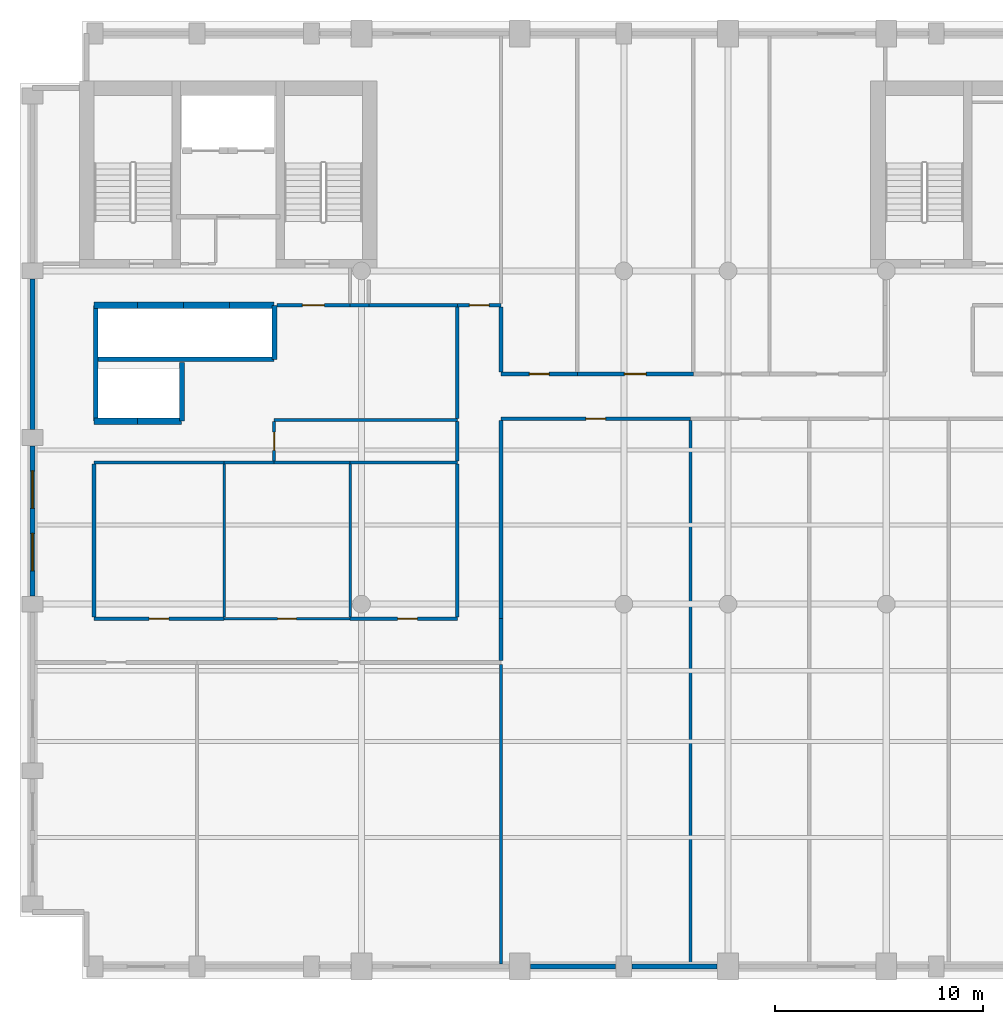
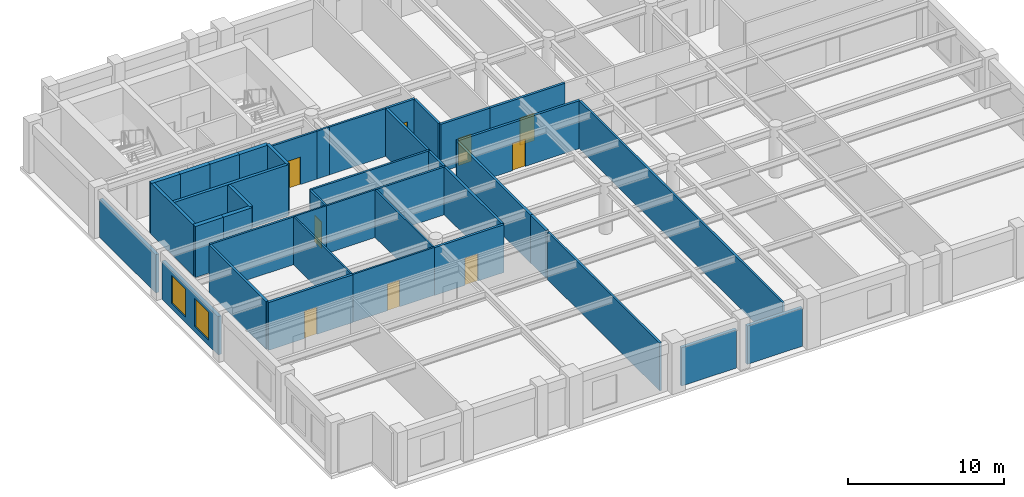
# One storey, part 3 of 8: 41 walls, 9 doors, 2 windows, 11 openings.
"""IFC4 building model written with IfcOpenShell, lengths in metres."""

from ifc_helpers import new_model, si_unit, direction, frame, frame_2d, origin, place, context, subcontext, project, spatial, rectangle, extrude, material, layer, layer_set, type_object, element, fill, save


model = new_model("IFC4")

# Units and contexts
model_context = context("Model", 3, precision=1e-05, world=origin(), true_north=direction((0.0, 1.0)))
body_context = subcontext(model_context, "Body", "Model", "MODEL_VIEW")
ifc_project = project(units=[si_unit("LENGTHUNIT", "METRE"), si_unit("AREAUNIT", "SQUARE_METRE"), si_unit("VOLUMEUNIT", "CUBIC_METRE"), si_unit("PLANEANGLEUNIT", "RADIAN"), si_unit("MASSUNIT", "GRAM", prefix="KILO")], contexts=[model_context])

# Site, building, storey
site_placement = place(None, origin())
site = spatial("IfcSite", under=ifc_project, at=site_placement, CompositionType="ELEMENT")
building_placement = place(site_placement, origin())
building = spatial("IfcBuilding", under=site, at=building_placement, Name="Sulina Concourse Tower", CompositionType="ELEMENT")
storey_placement = place(building_placement, frame((0.0, 0.0, 230.60009765625)))
storey = spatial("IfcBuildingStorey", under=building, at=storey_placement, Name="L56", CompositionType="ELEMENT", Elevation=230.60009765625)

# Walls
ifc_material_1 = material(Name="Concrete C50/60", Category="concrete")
ifc_layer_1 = layer(ifc_material_1, 0.219970703125)
ifc_layer_set_1 = layer_set([ifc_layer_1], Name="Concrete C50/60")
wall_type_1 = type_object("IfcWallType", Name="Core Lift Hoistway Divider Wall 220mm", PredefinedType="SOLIDWALL", material=ifc_layer_set_1)
wall_1_placement = place(storey_placement, frame((3.550048828125, 29.75, 0.0), z_axis=(0.0, 0.0, 1.0), x_axis=(1.0, 0.0, 0.0)))
element("IfcWall", 1, at=wall_1_placement, inside=storey, type_object=wall_type_1, Name="L56 shaft divider wall HW-LP3-S", PredefinedType="SOLIDWALL", context=body_context, shape_type="SweptSolid", body=[
    extrude(rectangle(XDim=8.64990234375, YDim=0.219970703125, at=frame_2d((4.324951171875, 0.0))), origin(), (0.0, 0.0, 1.0), 4.0),
])
wall_2_placement = place(storey_placement, frame((3.6298828125, 26.800048828125, 0.0), z_axis=(0.0, 0.0, 1.0), x_axis=(0.0, 1.0, 0.0)))
element("IfcWall", 2, at=wall_2_placement, inside=storey, type_object=wall_type_1, Name="L56 shaft divider wall HW-LP3-W", PredefinedType="SOLIDWALL", context=body_context, shape_type="SweptSolid", body=[
    extrude(rectangle(XDim=5.550048828125, YDim=0.219970703125, at=frame_2d((2.77490234375, 0.0))), origin(), (0.0, 0.0, 1.0), 4.0),
])
wall_3_placement = place(storey_placement, frame((7.780029296875, 26.800048828125, 0.0), z_axis=(0.0, 0.0, 1.0), x_axis=(0.0, 1.0, 0.0)))
element("IfcWall", 3, at=wall_3_placement, inside=storey, type_object=wall_type_1, Name="L56 shaft divider wall HW-EXP-E", PredefinedType="SOLIDWALL", context=body_context, shape_type="SweptSolid", body=[
    extrude(rectangle(XDim=2.800048828125, YDim=0.219970703125, at=frame_2d((1.39990234375, 0.0))), origin(), (0.0, 0.0, 1.0), 4.0),
])
wall_4_placement = place(storey_placement, frame((12.219970703125, 29.75, 0.0), z_axis=(0.0, 0.0, 1.0), x_axis=(0.0, 1.0, 0.0)))
element("IfcWall", 4, at=wall_4_placement, inside=storey, type_object=wall_type_1, Name="L56 shaft divider wall HW-LP3-E", PredefinedType="SOLIDWALL", context=body_context, shape_type="SweptSolid", body=[
    extrude(rectangle(XDim=2.60009765625, YDim=0.219970703125, at=frame_2d((1.300048828125, 0.0))), origin(), (0.0, 0.0, 1.0), 4.0),
])
ifc_material_2 = material(Name="Concrete C50/60", Category="concrete")
ifc_layer_2 = layer(ifc_material_2, 0.300048828125)
ifc_layer_set_2 = layer_set([ifc_layer_2], Name="Concrete C50/60")
wall_type_2 = type_object("IfcWallType", Name="Core Lift Hoistway Wall 300mm", PredefinedType="SOLIDWALL", material=ifc_layer_set_2)
wall_5_placement = place(storey_placement, frame((3.550048828125, 32.35009765625, 0.0), z_axis=(0.0, 0.0, 1.0), x_axis=(1.0, 0.0, 0.0)))
element("IfcWall", 5, at=wall_5_placement, inside=storey, type_object=wall_type_2, Name="L56 hoistway enclosure wall LP-09", PredefinedType="SOLIDWALL", context=body_context, shape_type="SweptSolid", body=[
    extrude(rectangle(XDim=2.099853515625, YDim=0.300048828125, at=frame_2d((1.0498046875, 0.0))), origin(), (0.0, 0.0, 1.0), 4.0),
])
wall_6_placement = place(storey_placement, frame((5.64990234375, 32.35009765625, 0.0), z_axis=(0.0, 0.0, 1.0), x_axis=(1.0, 0.0, 0.0)))
element("IfcWall", 6, at=wall_6_placement, inside=storey, type_object=wall_type_2, Name="L56 hoistway enclosure wall LP-10", PredefinedType="SOLIDWALL", context=body_context, shape_type="SweptSolid", body=[
    extrude(rectangle(XDim=2.2001953125, YDim=0.300048828125, at=frame_2d((1.10009765625, 0.0))), origin(), (0.0, 0.0, 1.0), 4.0),
])
wall_7_placement = place(storey_placement, frame((7.85009765625, 32.35009765625, 0.0), z_axis=(0.0, 0.0, 1.0), x_axis=(1.0, 0.0, 0.0)))
element("IfcWall", 7, at=wall_7_placement, inside=storey, type_object=wall_type_2, Name="L56 hoistway enclosure wall LP-11", PredefinedType="SOLIDWALL", context=body_context, shape_type="SweptSolid", body=[
    extrude(rectangle(XDim=2.199951171875, YDim=0.300048828125, at=frame_2d((1.10009765625, 0.0))), origin(), (0.0, 0.0, 1.0), 4.0),
])
wall_8_placement = place(storey_placement, frame((10.050048828125, 32.35009765625, 0.0), z_axis=(0.0, 0.0, 1.0), x_axis=(1.0, 0.0, 0.0)))
element("IfcWall", 8, at=wall_8_placement, inside=storey, type_object=wall_type_2, Name="L56 hoistway enclosure wall LP-12", PredefinedType="SOLIDWALL", context=body_context, shape_type="SweptSolid", body=[
    extrude(rectangle(XDim=2.14990234375, YDim=0.300048828125, at=frame_2d((1.074951171875, 0.0))), origin(), (0.0, 0.0, 1.0), 4.0),
])
wall_9_placement = place(storey_placement, frame((5.64990234375, 26.780029296875, 0.0), z_axis=(0.0, 0.0, 1.0), x_axis=(-1.0, 0.0, 0.0)))
element("IfcWall", 9, at=wall_9_placement, inside=storey, type_object=wall_type_2, Name="L56 hoistway enclosure wall EXP-1", PredefinedType="SOLIDWALL", context=body_context, shape_type="SweptSolid", body=[
    extrude(rectangle(XDim=2.099853515625, YDim=0.300048828125, at=frame_2d((1.0498046875, 0.0))), origin(), (0.0, 0.0, 1.0), 4.0),
])
wall_10_placement = place(storey_placement, frame((7.75, 26.780029296875, 0.0), z_axis=(0.0, 0.0, 1.0), x_axis=(-1.0, 0.0, 0.0)))
element("IfcWall", 10, at=wall_10_placement, inside=storey, type_object=wall_type_2, Name="L56 hoistway enclosure wall EXP-2", PredefinedType="SOLIDWALL", context=body_context, shape_type="SweptSolid", body=[
    extrude(rectangle(XDim=2.10009765625, YDim=0.300048828125, at=frame_2d((1.050048828125, 0.0))), origin(), (0.0, 0.0, 1.0), 4.0),
])
ifc_material_3 = material(Name="Precast concrete C50/60", Category="concrete")
ifc_layer_3 = layer(ifc_material_3, 0.239990234375)
ifc_layer_set_3 = layer_set([ifc_layer_3], Name="Precast concrete C50/60")
wall_type_3 = type_object("IfcWallType", Name="Crown Precast Masonry-Frame Facade Wall 240mm", PredefinedType="SOLIDWALL", material=ifc_layer_set_3)
for number, where, z_axis, x_axis, name in (
    (11, (28.60498046875, 0.60009765625, 0.0), (0.0, 0.0, 1.0), (-1.0, 0.0, 0.0), "L56 exterior precast wall S5"),
    (12, (33.47998046875, 0.60009765625, 0.0), (0.0, 0.0, 1.0), (-1.0, 0.0, 0.0), "L56 exterior precast wall S6"),
):
    element("IfcWall", number, at=place(storey_placement, frame(where, z_axis=z_axis, x_axis=x_axis)), inside=storey, type_object=wall_type_3, Name=name, PredefinedType="SOLIDWALL", context=body_context, shape_type="SweptSolid", body=[
        extrude(rectangle(XDim=4.0849609375, YDim=0.239990234375, at=frame_2d((2.04248046875, 0.0))), origin(), (0.0, 0.0, 1.0), 3.0),
    ])

# Wall, openings, windows
wall_11_placement = place(storey_placement, frame((0.60009765625, 18.39501953125, 0.0), z_axis=(0.0, 0.0, 1.0), x_axis=(0.0, 1.0, 0.0)))
wall_11 = element("IfcWall", 13, at=wall_11_placement, inside=storey, type_object=wall_type_3, Name="L56 exterior precast wall W3", PredefinedType="SOLIDWALL", context=body_context, shape_type="SweptSolid", body=[
    extrude(rectangle(XDim=7.2099609375, YDim=0.239990234375, at=frame_2d((3.60498046875, 0.0))), origin(), (0.0, 0.0, 1.0), 3.0),
])
opening_1_placement = place(wall_11_placement, frame((1.203369140625, 0.0, 0.419921875)))
opening_1 = element("IfcOpeningElement", 14, at=opening_1_placement, cuts=wall_11, Name="Opening WN-25", PredefinedType="OPENING", context=body_context, shape_type="SweptSolid", body=[
    extrude(rectangle(XDim=1.800048828125, YDim=2.199951171875, at=frame_2d((0.89990234375, 1.10009765625))), frame((0.0, 0.1298828125, 0.0), z_axis=(0.0, -1.0, 0.0), x_axis=(1.0, 0.0, 0.0)), (0.0, 0.0, 1.0), 0.260009765625),
])
opening_2_placement = place(wall_11_placement, frame((4.206787109375, 0.0, 0.419921875)))
opening_2 = element("IfcOpeningElement", 15, at=opening_2_placement, cuts=wall_11, Name="Opening WN-25", PredefinedType="OPENING", context=body_context, shape_type="SweptSolid", body=[
    extrude(rectangle(XDim=1.800048828125, YDim=2.199951171875, at=frame_2d((0.89990234375, 1.10009765625))), frame((0.0, 0.1298828125, 0.0), z_axis=(0.0, -1.0, 0.0), x_axis=(1.0, 0.0, 0.0)), (0.0, 0.0, 1.0), 0.260009765625),
])
ifc_material_4 = material(Name="Low-E solar double glazing in bronze aluminium", Category="aluminium")
window_type = type_object("IfcWindowType", Name="Punched Masonry-Frame Window 1800x2200", PartitioningType="SINGLE_PANEL", PredefinedType="WINDOW", material=ifc_material_4)
window_1_placement = place(opening_1_placement, origin())
window_1 = element("IfcWindow", 16, at=window_1_placement, inside=storey, type_object=window_type, Name="L56 punched window W3-1", OverallHeight=2.199951171875, OverallWidth=1.800048828125, PartitioningType="SINGLE_PANEL", PredefinedType="WINDOW", context=body_context, shape_type="SweptSolid", body=[
    extrude(rectangle(XDim=1.800048828125, YDim=2.199951171875, at=frame_2d((0.89990234375, 1.10009765625))), frame((0.0, 0.030029296875, 0.0), z_axis=(0.0, -1.0, 0.0), x_axis=(1.0, 0.0, 0.0)), (0.0, 0.0, 1.0), 0.06005859375),
])
fill(opening_1, window_1)
window_2_placement = place(opening_2_placement, origin())
window_2 = element("IfcWindow", 17, at=window_2_placement, inside=storey, type_object=window_type, Name="L56 punched window W3-2", OverallHeight=2.199951171875, OverallWidth=1.800048828125, PartitioningType="SINGLE_PANEL", PredefinedType="WINDOW", context=body_context, shape_type="SweptSolid", body=[
    extrude(rectangle(XDim=1.800048828125, YDim=2.199951171875, at=frame_2d((0.89990234375, 1.10009765625))), frame((0.0, 0.030029296875, 0.0), z_axis=(0.0, -1.0, 0.0), x_axis=(1.0, 0.0, 0.0)), (0.0, 0.0, 1.0), 0.06005859375),
])
fill(opening_2, window_2)

# Walls
wall_12_placement = place(storey_placement, frame((0.60009765625, 26.39501953125, 0.0), z_axis=(0.0, 0.0, 1.0), x_axis=(0.0, 1.0, 0.0)))
element("IfcWall", 18, at=wall_12_placement, inside=storey, type_object=wall_type_3, Name="L56 exterior precast wall W4", PredefinedType="SOLIDWALL", context=body_context, shape_type="SweptSolid", body=[
    extrude(rectangle(XDim=7.2099609375, YDim=0.239990234375, at=frame_2d((3.60498046875, 0.0))), origin(), (0.0, 0.0, 1.0), 3.0),
])
ifc_material_5 = material(Name="Gypsum board on steel stud", Category="steel")
ifc_layer_4 = layer(ifc_material_5, 0.14990234375)
ifc_layer_set_4 = layer_set([ifc_layer_4], Name="Gypsum board on steel stud")
wall_type_4 = type_object("IfcWallType", Name="Inter-Tenancy Acoustic Partition 150mm", PredefinedType="PARTITIONING", material=ifc_layer_set_4)
wall_13_placement = place(storey_placement, frame((3.550048828125, 24.800048828125, 0.0), z_axis=(0.0, 0.0, 1.0), x_axis=(1.0, 0.0, 0.0)))
element("IfcWall", 19, at=wall_13_placement, inside=storey, type_object=wall_type_4, Name="L56 interior partition 006", PredefinedType="PARTITIONING", context=body_context, shape_type="SweptSolid", body=[
    extrude(rectangle(XDim=6.25, YDim=0.14990234375, at=frame_2d((3.125, 0.0))), origin(), (0.0, 0.0, 1.0), 3.75),
])
wall_14_placement = place(storey_placement, frame((15.85009765625, 24.800048828125, 0.0), z_axis=(0.0, 0.0, 1.0), x_axis=(1.0, 0.0, 0.0)))
element("IfcWall", 20, at=wall_14_placement, inside=storey, type_object=wall_type_4, Name="L56 interior partition 009", PredefinedType="PARTITIONING", context=body_context, shape_type="SweptSolid", body=[
    extrude(rectangle(XDim=5.14990234375, YDim=0.14990234375, at=frame_2d((2.574951171875, 0.0))), origin(), (0.0, 0.0, 1.0), 3.75),
])
wall_15_placement = place(storey_placement, frame((12.199951171875, 26.85009765625, 0.0), z_axis=(0.0, 0.0, 1.0), x_axis=(1.0, 0.0, 0.0)))
element("IfcWall", 21, at=wall_15_placement, inside=storey, type_object=wall_type_4, Name="L56 interior partition 010", PredefinedType="PARTITIONING", context=body_context, shape_type="SweptSolid", body=[
    extrude(rectangle(XDim=8.800048828125, YDim=0.14990234375, at=frame_2d((4.39990234375, 0.0))), origin(), (0.0, 0.0, 1.0), 3.75),
])

# Wall, opening, door
wall_16_placement = place(storey_placement, frame((12.330078125, 32.35009765625, 0.0), z_axis=(0.0, 0.0, 1.0), x_axis=(1.0, 0.0, 0.0)))
wall_16 = element("IfcWall", 22, at=wall_16_placement, inside=storey, type_object=wall_type_4, Name="L56 interior partition 020", PredefinedType="PARTITIONING", context=body_context, shape_type="SweptSolid", body=[
    extrude(rectangle(XDim=3.52001953125, YDim=0.14990234375, at=frame_2d((1.760009765625, 0.0))), origin(), (0.0, 0.0, 1.0), 3.75),
])
opening_3_placement = place(wall_16_placement, frame((1.235107421875, 0.0, 0.0)))
opening_3 = element("IfcOpeningElement", 23, at=opening_3_placement, cuts=wall_16, Name="Opening DR-37", PredefinedType="OPENING", context=body_context, shape_type="SweptSolid", body=[
    extrude(rectangle(XDim=1.050048828125, YDim=2.14990234375, at=frame_2d((0.52490234375, 1.074951171875))), frame((0.0, 0.0849609375, 0.0), z_axis=(0.0, -1.0, 0.0), x_axis=(1.0, 0.0, 0.0)), (0.0, 0.0, 1.0), 0.169921875),
])
ifc_material_6 = material(Name="Oak-veneered fire door leaf")
ifc_layer_5 = layer(ifc_material_6, 0.050048828125)
ifc_layer_set_5 = layer_set([ifc_layer_5], Name="Oak-veneered fire door leaf")
door_type_1 = type_object("IfcDoorType", Name="Tenant Suite Entrance Fire Door 1050x2150", OperationType="NOTDEFINED", PredefinedType="DOOR", material=ifc_layer_set_5)
door_1_placement = place(opening_3_placement, origin())
door_1 = element("IfcDoor", 24, at=door_1_placement, inside=storey, type_object=door_type_1, Name="L56 interior door L56-MR-MRG2", OperationType="SINGLE_SWING_LEFT", OverallHeight=2.14990234375, OverallWidth=1.050048828125, PredefinedType="DOOR", context=body_context, shape_type="SweptSolid", body=[
    extrude(rectangle(XDim=1.050048828125, YDim=2.14990234375, at=frame_2d((0.52490234375, 1.074951171875))), frame((0.0, 0.02490234375, 0.0), z_axis=(0.0, -1.0, 0.0), x_axis=(1.0, 0.0, 0.0)), (0.0, 0.0, 1.0), 0.050048828125),
])
fill(opening_3, door_1)

# Walls
wall_17_placement = place(storey_placement, frame((15.85009765625, 32.35009765625, 0.0), z_axis=(0.0, 0.0, 1.0), x_axis=(1.0, 0.0, 0.0)))
element("IfcWall", 25, at=wall_17_placement, inside=storey, type_object=wall_type_4, Name="L56 interior partition 021", PredefinedType="PARTITIONING", context=body_context, shape_type="SweptSolid", body=[
    extrude(rectangle(XDim=0.89990234375, YDim=0.14990234375, at=frame_2d((0.449951171875, 0.0))), origin(), (0.0, 0.0, 1.0), 3.75),
])
wall_18_placement = place(storey_placement, frame((16.75, 32.35009765625, 0.0), z_axis=(0.0, 0.0, 1.0), x_axis=(1.0, 0.0, 0.0)))
element("IfcWall", 26, at=wall_18_placement, inside=storey, type_object=wall_type_4, Name="L56 interior partition 022", PredefinedType="PARTITIONING", context=body_context, shape_type="SweptSolid", body=[
    extrude(rectangle(XDim=4.25, YDim=0.14990234375, at=frame_2d((2.125, 0.0))), origin(), (0.0, 0.0, 1.0), 3.75),
])

# Wall, opening, door
wall_19_placement = place(storey_placement, frame((12.199951171875, 24.862548828125, 0.0), z_axis=(0.0, 0.0, 1.0), x_axis=(0.0, 1.0, 0.0)))
wall_19 = element("IfcWall", 27, at=wall_19_placement, inside=storey, type_object=wall_type_4, Name="L56 interior partition 034", PredefinedType="PARTITIONING", context=body_context, shape_type="SweptSolid", body=[
    extrude(rectangle(XDim=1.912353515625, YDim=0.14990234375, at=frame_2d((0.9560546875, 0.0))), origin(), (0.0, 0.0, 1.0), 3.75),
])
opening_4_placement = place(wall_19_placement, frame((0.51611328125, 0.0, 0.0)))
opening_4 = element("IfcOpeningElement", 28, at=opening_4_placement, cuts=wall_19, Name="Opening DR-38", PredefinedType="OPENING", context=body_context, shape_type="SweptSolid", body=[
    extrude(rectangle(XDim=0.8798828125, YDim=2.10009765625, at=frame_2d((0.43994140625, 1.050048828125))), frame((0.0, 0.0849609375, 0.0), z_axis=(0.0, -1.0, 0.0), x_axis=(1.0, 0.0, 0.0)), (0.0, 0.0, 1.0), 0.169921875),
])
ifc_material_7 = material(Name="Galvanised steel acoustic fire leaf", Category="steel")
ifc_layer_6 = layer(ifc_material_7, 0.050048828125)
ifc_layer_set_6 = layer_set([ifc_layer_6], Name="Galvanised steel acoustic fire leaf")
door_type_2 = type_object("IfcDoorType", Name="Service Riser Fire Door 880x2100", OperationType="NOTDEFINED", PredefinedType="DOOR", material=ifc_layer_set_6)
door_2_placement = place(opening_4_placement, origin())
door_2 = element("IfcDoor", 29, at=door_2_placement, inside=storey, type_object=door_type_2, Name="L56 interior door L56-MR-MRG1", OperationType="SINGLE_SWING_RIGHT", OverallHeight=2.10009765625, OverallWidth=0.8798828125, PredefinedType="DOOR", context=body_context, shape_type="SweptSolid", body=[
    extrude(rectangle(XDim=0.8798828125, YDim=2.10009765625, at=frame_2d((0.43994140625, 1.050048828125))), frame((0.0, 0.02490234375, 0.0), z_axis=(0.0, -1.0, 0.0), x_axis=(1.0, 0.0, 0.0)), (0.0, 0.0, 1.0), 0.050048828125),
])
fill(opening_4, door_2)

# Walls
wall_20_placement = place(storey_placement, frame((23.10009765625, 0.719970703125, 0.0), z_axis=(0.0, 0.0, 1.0), x_axis=(0.0, 1.0, 0.0)))
element("IfcWall", 30, at=wall_20_placement, inside=storey, type_object=wall_type_4, Name="L56 interior partition 041", PredefinedType="PARTITIONING", context=body_context, shape_type="SweptSolid", body=[
    extrude(rectangle(XDim=14.39013671875, YDim=0.14990234375, at=frame_2d((7.195068359375, 0.0))), origin(), (0.0, 0.0, 1.0), 3.75),
])
wall_21_placement = place(storey_placement, frame((32.199951171875, 0.719970703125, 0.0), z_axis=(0.0, 0.0, 1.0), x_axis=(0.0, 1.0, 0.0)))
element("IfcWall", 31, at=wall_21_placement, inside=storey, type_object=wall_type_4, Name="L56 interior partition 047", PredefinedType="PARTITIONING", context=body_context, shape_type="SweptSolid", body=[
    extrude(rectangle(XDim=26.090087890625, YDim=0.14990234375, at=frame_2d((13.044921875, 0.0))), origin(), (0.0, 0.0, 1.0), 3.75),
])

# Wall, opening, door
ifc_material_8 = material(Name="Gypsum board on steel stud", Category="steel")
ifc_layer_7 = layer(ifc_material_8, 0.179931640625)
ifc_layer_set_7 = layer_set([ifc_layer_7], Name="Gypsum board on steel stud")
wall_type_5 = type_object("IfcWallType", Name="Protected Corridor & Riser Partition 180mm", PredefinedType="PARTITIONING", material=ifc_layer_set_7)
wall_22_placement = place(storey_placement, frame((3.550048828125, 17.300048828125, 0.0), z_axis=(0.0, 0.0, 1.0), x_axis=(1.0, 0.0, 0.0)))
wall_22 = element("IfcWall", 32, at=wall_22_placement, inside=storey, type_object=wall_type_5, Name="L56 interior partition 003", PredefinedType="PARTITIONING", context=body_context, shape_type="SweptSolid", body=[
    extrude(rectangle(XDim=6.25, YDim=0.179931640625, at=frame_2d((3.125, 0.0))), origin(), (0.0, 0.0, 1.0), 3.75),
])
opening_5_placement = place(wall_22_placement, frame((2.64990234375, 0.0, 0.0)))
opening_5 = element("IfcOpeningElement", 33, at=opening_5_placement, cuts=wall_22, Name="Opening DR-19", PredefinedType="OPENING", context=body_context, shape_type="SweptSolid", body=[
    extrude(rectangle(XDim=0.949951171875, YDim=2.14990234375, at=frame_2d((0.47509765625, 1.074951171875))), frame((0.0, 0.099853515625, 0.0), z_axis=(0.0, -1.0, 0.0), x_axis=(1.0, 0.0, 0.0)), (0.0, 0.0, 1.0), 0.199951171875),
])
ifc_material_9 = material(Name="Oak-veneered acoustic timber leaf", Category="wood")
ifc_layer_8 = layer(ifc_material_9, 0.050048828125)
ifc_layer_set_8 = layer_set([ifc_layer_8], Name="Oak-veneered acoustic timber leaf")
door_type_3 = type_object("IfcDoorType", Name="Cellular Office & Meeting Door 950x2150", OperationType="NOTDEFINED", PredefinedType="DOOR", material=ifc_layer_set_8)
door_3_placement = place(opening_5_placement, origin())
door_3 = element("IfcDoor", 34, at=door_3_placement, inside=storey, type_object=door_type_3, Name="L56 interior door L56-LR-MRG1", OperationType="SINGLE_SWING_LEFT", OverallHeight=2.14990234375, OverallWidth=0.949951171875, PredefinedType="DOOR", context=body_context, shape_type="SweptSolid", body=[
    extrude(rectangle(XDim=0.949951171875, YDim=2.14990234375, at=frame_2d((0.47509765625, 1.074951171875))), frame((0.0, 0.02490234375, 0.0), z_axis=(0.0, -1.0, 0.0), x_axis=(1.0, 0.0, 0.0)), (0.0, 0.0, 1.0), 0.050048828125),
])
fill(opening_5, door_3)

wall_23_placement = place(storey_placement, frame((15.85009765625, 17.300048828125, 0.0), z_axis=(0.0, 0.0, 1.0), x_axis=(1.0, 0.0, 0.0)))
wall_23 = element("IfcWall", 35, at=wall_23_placement, inside=storey, type_object=wall_type_5, Name="L56 interior partition 005", PredefinedType="PARTITIONING", context=body_context, shape_type="SweptSolid", body=[
    extrude(rectangle(XDim=5.14990234375, YDim=0.179931640625, at=frame_2d((2.574951171875, 0.0))), origin(), (0.0, 0.0, 1.0), 3.75),
])
opening_6_placement = place(wall_23_placement, frame((2.280029296875, 0.0, 0.0)))
opening_6 = element("IfcOpeningElement", 36, at=opening_6_placement, cuts=wall_23, Name="Opening DR-19", PredefinedType="OPENING", context=body_context, shape_type="SweptSolid", body=[
    extrude(rectangle(XDim=0.949951171875, YDim=2.14990234375, at=frame_2d((0.47509765625, 1.074951171875))), frame((0.0, 0.099853515625, 0.0), z_axis=(0.0, -1.0, 0.0), x_axis=(1.0, 0.0, 0.0)), (0.0, 0.0, 1.0), 0.199951171875),
])
door_4_placement = place(opening_6_placement, origin())
door_4 = element("IfcDoor", 37, at=door_4_placement, inside=storey, type_object=door_type_3, Name="L56 interior door L56-NZ-PKW", OperationType="SINGLE_SWING_LEFT", OverallHeight=2.14990234375, OverallWidth=0.949951171875, PredefinedType="DOOR", context=body_context, shape_type="SweptSolid", body=[
    extrude(rectangle(XDim=0.949951171875, YDim=2.14990234375, at=frame_2d((0.47509765625, 1.074951171875))), frame((0.0, 0.02490234375, 0.0), z_axis=(0.0, -1.0, 0.0), x_axis=(1.0, 0.0, 0.0)), (0.0, 0.0, 1.0), 0.050048828125),
])
fill(opening_6, door_4)

wall_24_placement = place(storey_placement, frame((23.10009765625, 26.89990234375, 0.0), z_axis=(0.0, 0.0, 1.0), x_axis=(1.0, 0.0, 0.0)))
wall_24 = element("IfcWall", 38, at=wall_24_placement, inside=storey, type_object=wall_type_5, Name="L56 interior partition 011", PredefinedType="PARTITIONING", context=body_context, shape_type="SweptSolid", body=[
    extrude(rectangle(XDim=9.099853515625, YDim=0.179931640625, at=frame_2d((4.5498046875, 0.0))), origin(), (0.0, 0.0, 1.0), 3.75),
])
opening_7_placement = place(wall_24_placement, frame((4.074951171875, 0.0, 0.0)))
opening_7 = element("IfcOpeningElement", 39, at=opening_7_placement, cuts=wall_24, Name="Opening DR-19", PredefinedType="OPENING", context=body_context, shape_type="SweptSolid", body=[
    extrude(rectangle(XDim=0.949951171875, YDim=2.14990234375, at=frame_2d((0.47509765625, 1.074951171875))), frame((0.0, 0.099853515625, 0.0), z_axis=(0.0, -1.0, 0.0), x_axis=(1.0, 0.0, 0.0)), (0.0, 0.0, 1.0), 0.199951171875),
])
door_5_placement = place(opening_7_placement, origin())
door_5 = element("IfcDoor", 40, at=door_5_placement, inside=storey, type_object=door_type_3, Name="L56 interior door L56-S03", OperationType="SINGLE_SWING_RIGHT", OverallHeight=2.14990234375, OverallWidth=0.949951171875, PredefinedType="DOOR", context=body_context, shape_type="SweptSolid", body=[
    extrude(rectangle(XDim=0.949951171875, YDim=2.14990234375, at=frame_2d((0.47509765625, 1.074951171875))), frame((0.0, 0.02490234375, 0.0), z_axis=(0.0, -1.0, 0.0), x_axis=(1.0, 0.0, 0.0)), (0.0, 0.0, 1.0), 0.050048828125),
])
fill(opening_7, door_5)

wall_25_placement = place(storey_placement, frame((23.10009765625, 29.050048828125, 0.0), z_axis=(0.0, 0.0, 1.0), x_axis=(1.0, 0.0, 0.0)))
wall_25 = element("IfcWall", 41, at=wall_25_placement, inside=storey, type_object=wall_type_5, Name="L56 interior partition 015", PredefinedType="PARTITIONING", context=body_context, shape_type="SweptSolid", body=[
    extrude(rectangle(XDim=3.659912109375, YDim=0.179931640625, at=frame_2d((1.830078125, 0.0))), origin(), (0.0, 0.0, 1.0), 3.75),
])
opening_8_placement = place(wall_25_placement, frame((1.35498046875, 0.0, 0.0)))
opening_8 = element("IfcOpeningElement", 42, at=opening_8_placement, cuts=wall_25, Name="Opening DR-19", PredefinedType="OPENING", context=body_context, shape_type="SweptSolid", body=[
    extrude(rectangle(XDim=0.949951171875, YDim=2.14990234375, at=frame_2d((0.47509765625, 1.074951171875))), frame((0.0, 0.099853515625, 0.0), z_axis=(0.0, -1.0, 0.0), x_axis=(1.0, 0.0, 0.0)), (0.0, 0.0, 1.0), 0.199951171875),
])
door_6_placement = place(opening_8_placement, origin())
door_6 = element("IfcDoor", 43, at=door_6_placement, inside=storey, type_object=door_type_3, Name="L56 interior door L56-NC1", OperationType="SINGLE_SWING_RIGHT", OverallHeight=2.14990234375, OverallWidth=0.949951171875, PredefinedType="DOOR", context=body_context, shape_type="SweptSolid", body=[
    extrude(rectangle(XDim=0.949951171875, YDim=2.14990234375, at=frame_2d((0.47509765625, 1.074951171875))), frame((0.0, 0.02490234375, 0.0), z_axis=(0.0, -1.0, 0.0), x_axis=(1.0, 0.0, 0.0)), (0.0, 0.0, 1.0), 0.050048828125),
])
fill(opening_8, door_6)

wall_26_placement = place(storey_placement, frame((26.760009765625, 29.050048828125, 0.0), z_axis=(0.0, 0.0, 1.0), x_axis=(1.0, 0.0, 0.0)))
wall_26 = element("IfcWall", 44, at=wall_26_placement, inside=storey, type_object=wall_type_5, Name="L56 interior partition 016", PredefinedType="PARTITIONING", context=body_context, shape_type="SweptSolid", body=[
    extrude(rectangle(XDim=5.570068359375, YDim=0.179931640625, at=frame_2d((2.78515625, 0.0))), origin(), (0.0, 0.0, 1.0), 3.75),
])
opening_9_placement = place(wall_26_placement, frame((2.260009765625, 0.0, 0.0)))
opening_9 = element("IfcOpeningElement", 45, at=opening_9_placement, cuts=wall_26, Name="Opening DR-37", PredefinedType="OPENING", context=body_context, shape_type="SweptSolid", body=[
    extrude(rectangle(XDim=1.050048828125, YDim=2.14990234375, at=frame_2d((0.52490234375, 1.074951171875))), frame((0.0, 0.099853515625, 0.0), z_axis=(0.0, -1.0, 0.0), x_axis=(1.0, 0.0, 0.0)), (0.0, 0.0, 1.0), 0.199951171875),
])
door_7_placement = place(opening_9_placement, origin())
door_7 = element("IfcDoor", 46, at=door_7_placement, inside=storey, type_object=door_type_1, Name="L56 interior door L56-NC2", OperationType="SINGLE_SWING_LEFT", OverallHeight=2.14990234375, OverallWidth=1.050048828125, PredefinedType="DOOR", context=body_context, shape_type="SweptSolid", body=[
    extrude(rectangle(XDim=1.050048828125, YDim=2.14990234375, at=frame_2d((0.52490234375, 1.074951171875))), frame((0.0, 0.02490234375, 0.0), z_axis=(0.0, -1.0, 0.0), x_axis=(1.0, 0.0, 0.0)), (0.0, 0.0, 1.0), 0.050048828125),
])
fill(opening_9, door_7)

wall_27_placement = place(storey_placement, frame((21.0, 32.35009765625, 0.0), z_axis=(0.0, 0.0, 1.0), x_axis=(1.0, 0.0, 0.0)))
wall_27 = element("IfcWall", 47, at=wall_27_placement, inside=storey, type_object=wall_type_5, Name="L56 interior partition 023", PredefinedType="PARTITIONING", context=body_context, shape_type="SweptSolid", body=[
    extrude(rectangle(XDim=2.10009765625, YDim=0.179931640625, at=frame_2d((1.050048828125, 0.0))), origin(), (0.0, 0.0, 1.0), 3.75),
])
opening_10_placement = place(wall_27_placement, frame((0.574951171875, 0.0, 0.0)))
opening_10 = element("IfcOpeningElement", 48, at=opening_10_placement, cuts=wall_27, Name="Opening DR-19", PredefinedType="OPENING", context=body_context, shape_type="SweptSolid", body=[
    extrude(rectangle(XDim=0.949951171875, YDim=2.14990234375, at=frame_2d((0.47509765625, 1.074951171875))), frame((0.0, 0.099853515625, 0.0), z_axis=(0.0, -1.0, 0.0), x_axis=(1.0, 0.0, 0.0)), (0.0, 0.0, 1.0), 0.199951171875),
])
door_8_placement = place(opening_10_placement, origin())
door_8 = element("IfcDoor", 49, at=door_8_placement, inside=storey, type_object=door_type_3, Name="L56 interior door L56-NC-NW", OperationType="SINGLE_SWING_RIGHT", OverallHeight=2.14990234375, OverallWidth=0.949951171875, PredefinedType="DOOR", context=body_context, shape_type="SweptSolid", body=[
    extrude(rectangle(XDim=0.949951171875, YDim=2.14990234375, at=frame_2d((0.47509765625, 1.074951171875))), frame((0.0, 0.02490234375, 0.0), z_axis=(0.0, -1.0, 0.0), x_axis=(1.0, 0.0, 0.0)), (0.0, 0.0, 1.0), 0.050048828125),
])
fill(opening_10, door_8)

# Walls
for number, where, z_axis, x_axis, name in (
    (50, (3.550048828125, 17.389892578125, 0.0), (0.0, 0.0, 1.0), (0.0, 1.0, 0.0), "L56 interior partition 030"),
    (51, (21.0, 17.389892578125, 0.0), (0.0, 0.0, 1.0), (0.0, 1.0, 0.0), "L56 interior partition 038"),
):
    element("IfcWall", number, at=place(storey_placement, frame(where, z_axis=z_axis, x_axis=x_axis)), inside=storey, type_object=wall_type_5, Name=name, PredefinedType="PARTITIONING", context=body_context, shape_type="SweptSolid", body=[
        extrude(rectangle(XDim=7.335205078125, YDim=0.179931640625, at=frame_2d((3.66748046875, 0.0))), origin(), (0.0, 0.0, 1.0), 3.75),
    ])
wall_28_placement = place(storey_placement, frame((21.0, 24.875, 0.0), z_axis=(0.0, 0.0, 1.0), x_axis=(0.0, 1.0, 0.0)))
element("IfcWall", 52, at=wall_28_placement, inside=storey, type_object=wall_type_5, Name="L56 interior partition 039", PredefinedType="PARTITIONING", context=body_context, shape_type="SweptSolid", body=[
    extrude(rectangle(XDim=1.89990234375, YDim=0.179931640625, at=frame_2d((0.949951171875, 0.0))), origin(), (0.0, 0.0, 1.0), 3.75),
])
wall_29_placement = place(storey_placement, frame((21.0, 26.925048828125, 0.0), z_axis=(0.0, 0.0, 1.0), x_axis=(0.0, 1.0, 0.0)))
element("IfcWall", 53, at=wall_29_placement, inside=storey, type_object=wall_type_5, Name="L56 interior partition 040", PredefinedType="PARTITIONING", context=body_context, shape_type="SweptSolid", body=[
    extrude(rectangle(XDim=5.3349609375, YDim=0.179931640625, at=frame_2d((2.66748046875, 0.0))), origin(), (0.0, 0.0, 1.0), 3.75),
])
wall_30_placement = place(storey_placement, frame((23.10009765625, 15.2900390625, 0.0), z_axis=(0.0, 0.0, 1.0), x_axis=(0.0, 1.0, 0.0)))
element("IfcWall", 54, at=wall_30_placement, inside=storey, type_object=wall_type_5, Name="L56 interior partition 042", PredefinedType="PARTITIONING", context=body_context, shape_type="SweptSolid", body=[
    extrude(rectangle(XDim=2.010009765625, YDim=0.179931640625, at=frame_2d((1.0048828125, 0.0))), origin(), (0.0, 0.0, 1.0), 3.75),
])
wall_31_placement = place(storey_placement, frame((23.10009765625, 17.300048828125, 0.0), z_axis=(0.0, 0.0, 1.0), x_axis=(0.0, 1.0, 0.0)))
element("IfcWall", 55, at=wall_31_placement, inside=storey, type_object=wall_type_5, Name="L56 interior partition 043", PredefinedType="PARTITIONING", context=body_context, shape_type="SweptSolid", body=[
    extrude(rectangle(XDim=9.510009765625, YDim=0.179931640625, at=frame_2d((4.7548828125, 0.0))), origin(), (0.0, 0.0, 1.0), 3.75),
])
wall_32_placement = place(storey_placement, frame((23.10009765625, 29.139892578125, 0.0), z_axis=(0.0, 0.0, 1.0), x_axis=(0.0, 1.0, 0.0)))
element("IfcWall", 56, at=wall_32_placement, inside=storey, type_object=wall_type_5, Name="L56 interior partition 044", PredefinedType="PARTITIONING", context=body_context, shape_type="SweptSolid", body=[
    extrude(rectangle(XDim=3.1201171875, YDim=0.179931640625, at=frame_2d((1.56005859375, 0.0))), origin(), (0.0, 0.0, 1.0), 3.75),
])

# Wall, opening, door
ifc_material_10 = material(Name="Gypsum board on steel stud", Category="steel")
ifc_layer_9 = layer(ifc_material_10, 0.125)
ifc_layer_set_9 = layer_set([ifc_layer_9], Name="Gypsum board on steel stud")
wall_type_6 = type_object("IfcWallType", Name="Wet-Area Moisture-Resistant Partition 125mm", PredefinedType="PARTITIONING", material=ifc_layer_set_9)
wall_33_placement = place(storey_placement, frame((9.800048828125, 17.300048828125, 0.0), z_axis=(0.0, 0.0, 1.0), x_axis=(1.0, 0.0, 0.0)))
wall_33 = element("IfcWall", 57, at=wall_33_placement, inside=storey, type_object=wall_type_6, Name="L56 interior partition 004", PredefinedType="PARTITIONING", context=body_context, shape_type="SweptSolid", body=[
    extrude(rectangle(XDim=6.050048828125, YDim=0.125, at=frame_2d((3.02490234375, 0.0))), origin(), (0.0, 0.0, 1.0), 3.75),
])
opening_11_placement = place(wall_33_placement, frame((2.574951171875, 0.0, 0.0)))
opening_11 = element("IfcOpeningElement", 58, at=opening_11_placement, cuts=wall_33, Name="Opening DR-21", PredefinedType="OPENING", context=body_context, shape_type="SweptSolid", body=[
    extrude(rectangle(XDim=0.89990234375, YDim=2.10009765625, at=frame_2d((0.449951171875, 1.050048828125))), frame((0.0, 0.072509765625, 0.0), z_axis=(0.0, -1.0, 0.0), x_axis=(1.0, 0.0, 0.0)), (0.0, 0.0, 1.0), 0.14501953125),
])
ifc_material_11 = material(Name="Oak-veneered fire door leaf")
ifc_layer_10 = layer(ifc_material_11, 0.050048828125)
ifc_layer_set_10 = layer_set([ifc_layer_10], Name="Oak-veneered fire door leaf")
door_type_4 = type_object("IfcDoorType", Name="Restroom & Service Door 900x2100", OperationType="NOTDEFINED", PredefinedType="DOOR", material=ifc_layer_set_10)
door_9_placement = place(opening_11_placement, origin())
door_9 = element("IfcDoor", 59, at=door_9_placement, inside=storey, type_object=door_type_4, Name="L56 interior door L56-LR-MRG2", OperationType="SINGLE_SWING_RIGHT", OverallHeight=2.10009765625, OverallWidth=0.89990234375, PredefinedType="DOOR", context=body_context, shape_type="SweptSolid", body=[
    extrude(rectangle(XDim=0.89990234375, YDim=2.10009765625, at=frame_2d((0.449951171875, 1.050048828125))), frame((0.0, 0.02490234375, 0.0), z_axis=(0.0, -1.0, 0.0), x_axis=(1.0, 0.0, 0.0)), (0.0, 0.0, 1.0), 0.050048828125),
])
fill(opening_11, door_9)

# Walls
wall_34_placement = place(storey_placement, frame((9.800048828125, 24.800048828125, 0.0), z_axis=(0.0, 0.0, 1.0), x_axis=(1.0, 0.0, 0.0)))
element("IfcWall", 60, at=wall_34_placement, inside=storey, type_object=wall_type_6, Name="L56 interior partition 007", PredefinedType="PARTITIONING", context=body_context, shape_type="SweptSolid", body=[
    extrude(rectangle(XDim=2.39990234375, YDim=0.125, at=frame_2d((1.199951171875, 0.0))), origin(), (0.0, 0.0, 1.0), 3.75),
])
wall_35_placement = place(storey_placement, frame((12.199951171875, 24.800048828125, 0.0), z_axis=(0.0, 0.0, 1.0), x_axis=(1.0, 0.0, 0.0)))
element("IfcWall", 61, at=wall_35_placement, inside=storey, type_object=wall_type_6, Name="L56 interior partition 008", PredefinedType="PARTITIONING", context=body_context, shape_type="SweptSolid", body=[
    extrude(rectangle(XDim=3.650146484375, YDim=0.125, at=frame_2d((1.8251953125, 0.0))), origin(), (0.0, 0.0, 1.0), 3.75),
])
for number, where, z_axis, x_axis, name in (
    (62, (9.800048828125, 17.389892578125, 0.0), (0.0, 0.0, 1.0), (0.0, 1.0, 0.0), "L56 interior partition 033"),
    (63, (15.85009765625, 17.389892578125, 0.0), (0.0, 0.0, 1.0), (0.0, 1.0, 0.0), "L56 interior partition 035"),
):
    element("IfcWall", number, at=place(storey_placement, frame(where, z_axis=z_axis, x_axis=x_axis)), inside=storey, type_object=wall_type_6, Name=name, PredefinedType="PARTITIONING", context=body_context, shape_type="SweptSolid", body=[
        extrude(rectangle(XDim=7.335205078125, YDim=0.125, at=frame_2d((3.66748046875, 0.0))), origin(), (0.0, 0.0, 1.0), 3.75),
    ])

save(model, "model.ifc")
